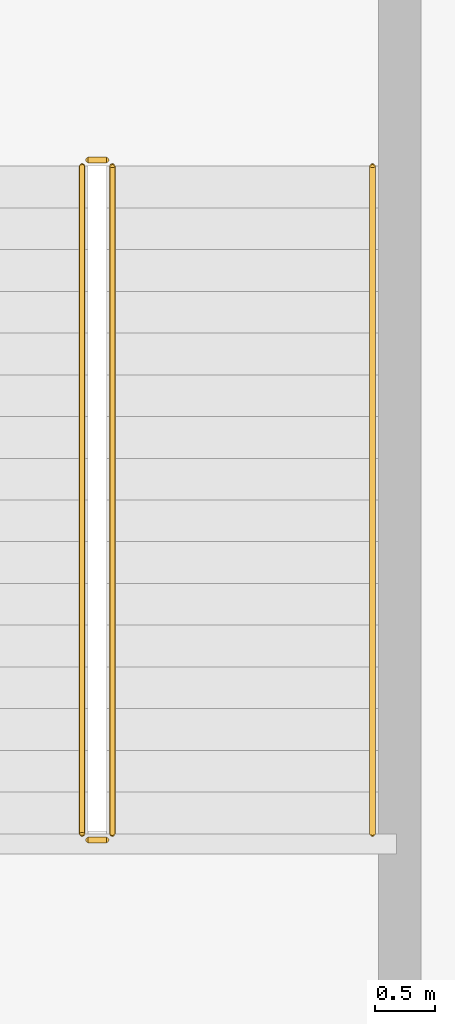
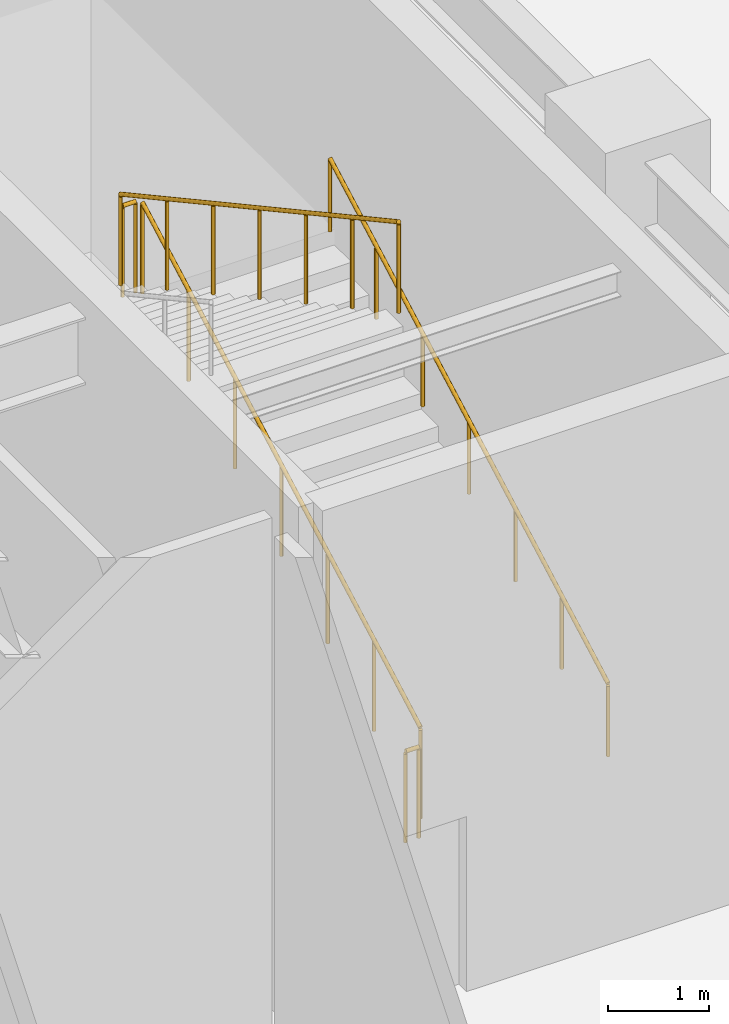
# One storey, part 46 of 50: 5 railings.
"""IFC4 building model written with IfcOpenShell, lengths in metres."""

from ifc_helpers import new_model, si_unit, direction, frame, origin, origin_2d, place, context, subcontext, project, spatial, circle, extrude, material, type_object, element, save


model = new_model("IFC4")

# Units and contexts
model_context = context("Model", 3, precision=1e-05, world=origin(), true_north=direction((0.0, 1.0)))
body_context = subcontext(model_context, "Body", "Model", "MODEL_VIEW")
ifc_project = project(units=[si_unit("LENGTHUNIT", "METRE"), si_unit("AREAUNIT", "SQUARE_METRE"), si_unit("VOLUMEUNIT", "CUBIC_METRE"), si_unit("PLANEANGLEUNIT", "RADIAN"), si_unit("MASSUNIT", "GRAM", prefix="KILO")], contexts=[model_context])

# Site, building, storey
site_placement = place(None, origin())
site = spatial("IfcSite", under=ifc_project, at=site_placement, CompositionType="ELEMENT")
building_placement = place(site_placement, origin())
building = spatial("IfcBuilding", under=site, at=building_placement, Name="Tolvann Quenvar Hotel", CompositionType="ELEMENT")
storey_placement = place(building_placement, frame((0.0, 0.0, 16.0)))
storey = spatial("IfcBuildingStorey", under=building, at=storey_placement, Name="L03", CompositionType="ELEMENT", Elevation=16.0)

# Railings
ifc_material = material(Name="Brushed 316 stainless steel balustrade and handrail", Category="steel")
railing_type_1 = type_object("IfcRailingType", Name="GUARDRAIL", PredefinedType="GUARDRAIL", material=ifc_material)
railing_1_placement = place(storey_placement, frame((52.89990234375, 22.449951171875, 0.188232421875)))
element("IfcRailing", 1, at=railing_1_placement, inside=storey, type_object=railing_type_1, Name="L03 ST-P4 stair guard 1", PredefinedType="GUARDRAIL", context=body_context, shape_type="SweptSolid", body=[
    extrude(circle(Radius=0.02392578125, at=origin_2d()), frame((0.0, 0.0, 1.09619140625), z_axis=(0.0, 0.877842151624, 0.47895005672), x_axis=(-1.0, 0.0, 0.0)), (0.0, 0.0, 1.0), 6.2880859375),
    extrude(circle(Radius=0.02099609375, at=origin_2d()), origin(), (0.0, 0.0, 1.0), 1.072021484375),
    extrude(circle(Radius=0.02099609375, at=origin_2d()), frame((0.0, 0.919921875, 0.501953125)), (0.0, 0.0, 1.0), 1.072021484375),
    extrude(circle(Radius=0.02099609375, at=origin_2d()), frame((0.0, 1.840087890625, 1.00390625)), (0.0, 0.0, 1.0), 1.072021484375),
    extrude(circle(Radius=0.02099609375, at=origin_2d()), frame((0.0, 2.760009765625, 1.505859375)), (0.0, 0.0, 1.0), 1.072021484375),
    extrude(circle(Radius=0.02099609375, at=origin_2d()), frame((0.0, 3.679931640625, 2.0078125)), (0.0, 0.0, 1.0), 1.072021484375),
    extrude(circle(Radius=0.02099609375, at=origin_2d()), frame((0.0, 4.60009765625, 2.509765625)), (0.0, 0.0, 1.0), 1.072021484375),
    extrude(circle(Radius=0.02099609375, at=origin_2d()), frame((0.0, 5.52001953125, 3.01171875)), (0.0, 0.0, 1.0), 1.072021484375),
])
railing_2_placement = place(storey_placement, frame((52.85009765625, 28.02001953125, 3.199951171875)))
element("IfcRailing", 2, at=railing_2_placement, inside=storey, type_object=railing_type_1, Name="L03 ST-P4 stair guard 2", PredefinedType="GUARDRAIL", context=body_context, shape_type="SweptSolid", body=[
    extrude(circle(Radius=0.02392578125, at=origin_2d()), frame((0.0, 0.0, 1.09619140625), z_axis=(-1.0, 0.0, 0.0), x_axis=(0.0, -1.0, 0.0)), (0.0, 0.0, 1.0), 0.150146484375),
    extrude(circle(Radius=0.02099609375, at=origin_2d()), origin(), (0.0, 0.0, 1.0), 1.072021484375),
    extrude(circle(Radius=0.02099609375, at=origin_2d()), frame((-0.150146484375, 0.0, 0.0)), (0.0, 0.0, 1.0), 1.072021484375),
])
railing_3_placement = place(storey_placement, frame((52.64990234375, 27.969970703125, 3.38818359375)))
element("IfcRailing", 3, at=railing_3_placement, inside=storey, type_object=railing_type_1, Name="L03 ST-P4 stair guard 3", PredefinedType="GUARDRAIL", context=body_context, shape_type="SweptSolid", body=[
    extrude(circle(Radius=0.02392578125, at=origin_2d()), frame((0.0, 0.0, 1.09619140625), z_axis=(0.0, -0.877842151624, 0.47895005672), x_axis=(1.0, 0.0, 0.0)), (0.0, 0.0, 1.0), 6.2880859375),
    extrude(circle(Radius=0.02099609375, at=origin_2d()), origin(), (0.0, 0.0, 1.0), 1.072021484375),
    extrude(circle(Radius=0.02099609375, at=origin_2d()), frame((0.0, -0.919921875, 0.501953125)), (0.0, 0.0, 1.0), 1.072021484375),
    extrude(circle(Radius=0.02099609375, at=origin_2d()), frame((0.0, -1.840087890625, 1.00390625)), (0.0, 0.0, 1.0), 1.072021484375),
    extrude(circle(Radius=0.02099609375, at=origin_2d()), frame((0.0, -2.760009765625, 1.505859375)), (0.0, 0.0, 1.0), 1.072021484375),
    extrude(circle(Radius=0.02099609375, at=origin_2d()), frame((0.0, -3.679931640625, 2.0078125)), (0.0, 0.0, 1.0), 1.072021484375),
    extrude(circle(Radius=0.02099609375, at=origin_2d()), frame((0.0, -4.60009765625, 2.509765625)), (0.0, 0.0, 1.0), 1.072021484375),
    extrude(circle(Radius=0.02099609375, at=origin_2d()), frame((0.0, -5.52001953125, 3.01171875)), (0.0, 0.0, 1.0), 1.072021484375),
])
railing_4_placement = place(storey_placement, frame((52.85009765625, 22.39990234375, 0.0)))
element("IfcRailing", 4, at=railing_4_placement, inside=storey, type_object=railing_type_1, Name="L03 ST-P4 stair guard 4", PredefinedType="GUARDRAIL", context=body_context, shape_type="SweptSolid", body=[
    extrude(circle(Radius=0.02392578125, at=origin_2d()), frame((0.0, 0.0, 1.09619140625), z_axis=(-1.0, 0.0, 0.0), x_axis=(0.0, -1.0, 0.0)), (0.0, 0.0, 1.0), 0.150146484375),
    extrude(circle(Radius=0.02099609375, at=origin_2d()), origin(), (0.0, 0.0, 1.0), 1.072021484375),
    extrude(circle(Radius=0.02099609375, at=origin_2d()), frame((-0.150146484375, 0.0, 0.0)), (0.0, 0.0, 1.0), 1.072021484375),
])
railing_type_2 = type_object("IfcRailingType", Name="HANDRAIL", PredefinedType="HANDRAIL", material=ifc_material)
railing_5_placement = place(storey_placement, frame((55.050048828125, 22.449951171875, 0.188232421875)))
element("IfcRailing", 5, at=railing_5_placement, inside=storey, type_object=railing_type_2, Name="L03 ST-P4 stair handrail 1", PredefinedType="HANDRAIL", context=body_context, shape_type="SweptSolid", body=[
    extrude(circle(Radius=0.02392578125, at=origin_2d()), frame((0.0, 0.0, 0.8759765625), z_axis=(0.0, 0.877842151624, 0.47895005672), x_axis=(-1.0, 0.0, 0.0)), (0.0, 0.0, 1.0), 6.2880859375),
    extrude(circle(Radius=0.02099609375, at=origin_2d()), origin(), (0.0, 0.0, 1.0), 0.851806640625),
    extrude(circle(Radius=0.02099609375, at=origin_2d()), frame((0.0, 0.919921875, 0.501953125)), (0.0, 0.0, 1.0), 0.851806640625),
    extrude(circle(Radius=0.02099609375, at=origin_2d()), frame((0.0, 1.840087890625, 1.00390625)), (0.0, 0.0, 1.0), 0.851806640625),
    extrude(circle(Radius=0.02099609375, at=origin_2d()), frame((0.0, 2.760009765625, 1.505859375)), (0.0, 0.0, 1.0), 0.851806640625),
    extrude(circle(Radius=0.02099609375, at=origin_2d()), frame((0.0, 3.679931640625, 2.0078125)), (0.0, 0.0, 1.0), 0.851806640625),
    extrude(circle(Radius=0.02099609375, at=origin_2d()), frame((0.0, 4.60009765625, 2.509765625)), (0.0, 0.0, 1.0), 0.851806640625),
    extrude(circle(Radius=0.02099609375, at=origin_2d()), frame((0.0, 5.52001953125, 3.01171875)), (0.0, 0.0, 1.0), 0.851806640625),
])

save(model, "model.ifc")
